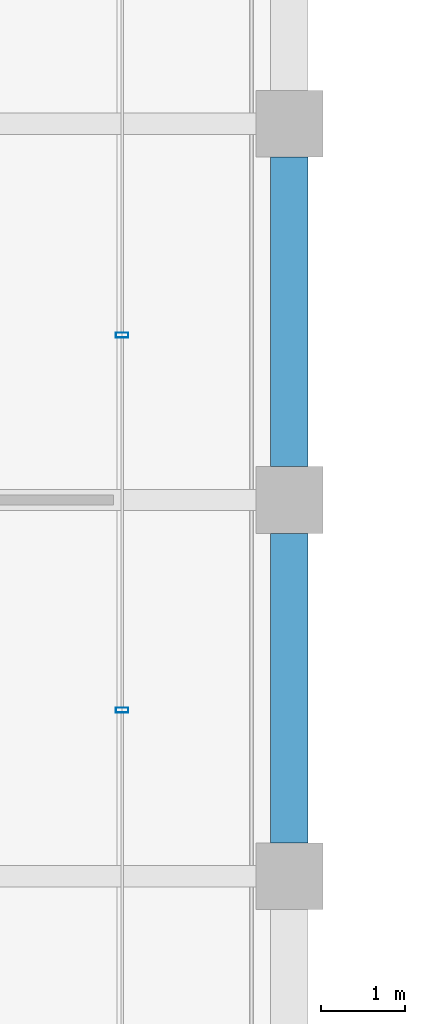
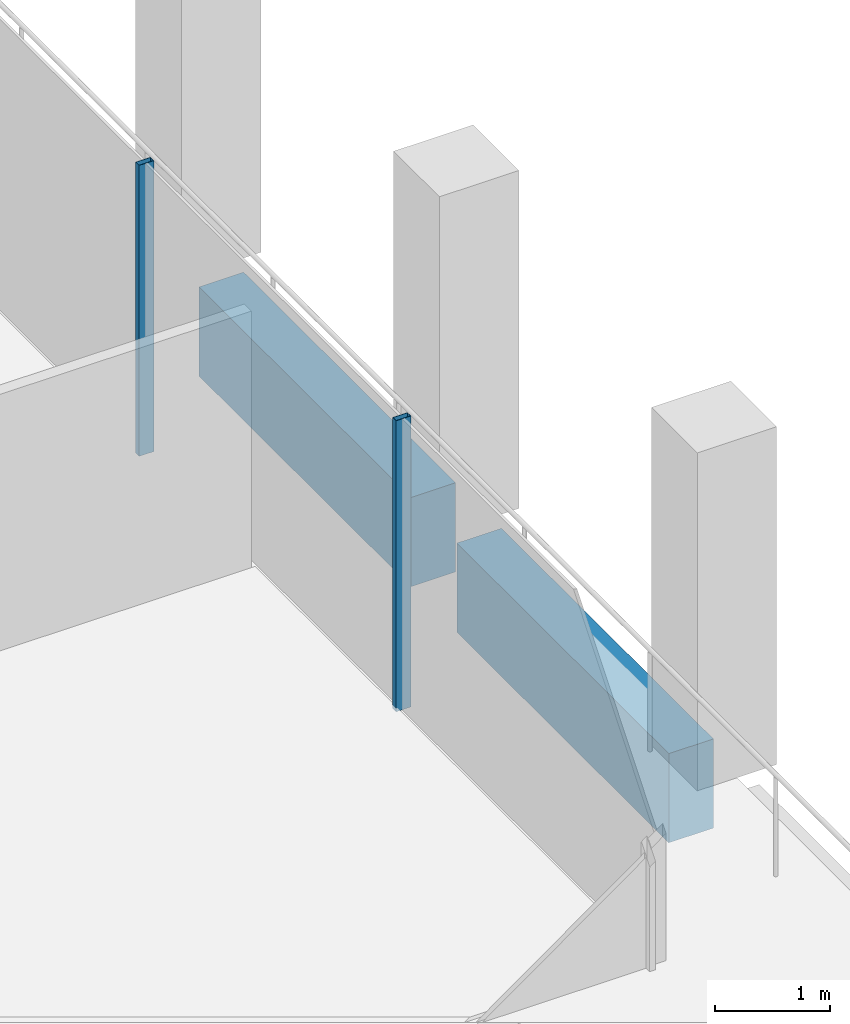
# One storey, part 15 of 40: 2 beams, 2 members, 1 element without a shape of its own.
"""IFC4 building model written with IfcOpenShell, lengths in metres."""

import ifcopenshell
import ifcopenshell.guid

model = None  # the IFC model being written
_history = None  # IfcOwnerHistory: only IFC2X3 demands one
_inside = {}  # id of a spatial element -> (the spatial element, [elements in it])
_under = {}  # id of a project, library or spatial element -> (it, [spatial elements below it])
_declared = {}  # id of a project -> (the project, [libraries it declares])
_typed = {}  # id of a type object -> (the type object, [elements of that type])
_made_of = {}  # id of a material, layer set ... -> (it, [elements and type objects made of it])


def new_model(schema):
    """Start an empty IFC model of exactly this schema.

    Asked for "IFC4X3", IfcOpenShell would pick the latest addendum, in which some entities
    have other attributes; the version numbers below select the first issue.
    IFC2X3 requires an IfcOwnerHistory on every rooted entity: one is made here for all.
    """
    global model, _history
    if schema == "IFC4X3":
        model = ifcopenshell.file(schema_version=(4, 3, 0, 0))
    else:
        model = ifcopenshell.file(schema=schema)
    _inside.clear()
    _under.clear()
    _declared.clear()
    _typed.clear()
    _made_of.clear()
    _history = None
    if model.schema == "IFC2X3":
        org = make("IfcOrganization", Name="unknown")
        user = make(
            "IfcPersonAndOrganization",
            ThePerson=make("IfcPerson", FamilyName="unknown"),
            TheOrganization=org,
        )
        app = make(
            "IfcApplication",
            ApplicationDeveloper=org,
            Version="unknown",
            ApplicationFullName="unknown",
            ApplicationIdentifier="unknown",
        )
        _history = make(
            "IfcOwnerHistory",
            OwningUser=user,
            OwningApplication=app,
            ChangeAction="ADDED",
            CreationDate=0,
        )
    return model


def make(cls, **values):
    """One entity of the class cls with the attributes given. An attribute that is None is left unset."""
    return model.create_entity(
        cls, **{name: value for name, value in values.items() if value is not None}
    )


def rooted(cls, **values):
    """An entity with a GlobalId (a new one), such as an element, a storey or a relation."""
    return make(cls, GlobalId=ifcopenshell.guid.new(), OwnerHistory=_history, **values)


def si_unit(unit_type, name, prefix=None):
    """IfcSIUnit, for example si_unit("LENGTHUNIT", "METRE", prefix="MILLI")."""
    return make("IfcSIUnit", UnitType=unit_type, Prefix=prefix, Name=name)


def assignment(units):
    """IfcUnitAssignment: the units of a project."""
    return None if units is None else make("IfcUnitAssignment", Units=units)


def point(xyz):
    """IfcCartesianPoint."""
    return None if xyz is None else make("IfcCartesianPoint", Coordinates=xyz)


def direction(xyz):
    """IfcDirection."""
    return None if xyz is None else make("IfcDirection", DirectionRatios=xyz)


def frame(location, z_axis=None, x_axis=None):
    """IfcAxis2Placement3D, a coordinate frame: its origin and axes. An axis left out is left unset."""
    return make(
        "IfcAxis2Placement3D",
        Location=point(location),
        Axis=direction(z_axis),
        RefDirection=direction(x_axis),
    )


def frame_2d(location, x_axis=None):
    """IfcAxis2Placement2D, a coordinate frame in the plane: its origin and x axis."""
    return make(
        "IfcAxis2Placement2D", Location=point(location), RefDirection=direction(x_axis)
    )


def origin():
    """The frame at (0, 0, 0) with its axes left unset."""
    return frame((0.0, 0.0, 0.0))


def origin_2d():
    """The frame at (0, 0) in the plane with its x axis left unset."""
    return frame_2d((0.0, 0.0))


def place(relative_to, where):
    """IfcLocalPlacement: puts the frame where relative to a parent placement (None: the world)."""
    return make(
        "IfcLocalPlacement", PlacementRelTo=relative_to, RelativePlacement=where
    )


def context(
    kind, dimensions, precision=None, world=None, true_north=None, identifier=None
):
    """IfcGeometricRepresentationContext, for example the 3D "Model" context."""
    return make(
        "IfcGeometricRepresentationContext",
        ContextIdentifier=identifier,
        ContextType=kind,
        CoordinateSpaceDimension=dimensions,
        Precision=precision,
        WorldCoordinateSystem=world,
        TrueNorth=true_north,
    )


def subcontext(parent, identifier, kind, view, scale=None):
    """IfcGeometricRepresentationSubContext, for example "Body" below "Model"."""
    return make(
        "IfcGeometricRepresentationSubContext",
        ContextIdentifier=identifier,
        ContextType=kind,
        ParentContext=parent,
        TargetScale=scale,
        TargetView=view,
    )


def project(units=None, contexts=None):
    """IfcProject with its units and contexts."""
    return rooted(
        "IfcProject",
        Name="project",
        RepresentationContexts=contexts,
        UnitsInContext=assignment(units),
    )


def spatial(cls, under=None, at=None, **own):
    """A site, building, storey or space (cls), placed at a placement, below another one or the project."""
    s = rooted(cls, ObjectPlacement=at, **own)
    if under is not None:
        _under.setdefault(under.id(), (under, []))[1].append(s)
    return s


def profile(cls, at=None, kind="AREA", **sizes):
    """A parametric profile (cls). Its sizes go by their IFC names, for example OverallWidth=200.0."""
    return make(cls, ProfileType=kind, Position=at, **sizes)


def rectangle(**sizes):
    """IfcRectangleProfileDef."""
    return profile("IfcRectangleProfileDef", **sizes)


def hollow_rectangle(**sizes):
    """IfcRectangleHollowProfileDef."""
    return profile("IfcRectangleHollowProfileDef", **sizes)


def extrude(swept, where, along, depth):
    """IfcExtrudedAreaSolid: the profile swept, set in the frame where, extruded along a direction by depth."""
    return make(
        "IfcExtrudedAreaSolid",
        SweptArea=swept,
        Position=where,
        ExtrudedDirection=direction(along),
        Depth=depth,
    )


def shape(context_of_items, identifier, shape_type, items):
    """IfcShapeRepresentation: the items that make up one representation, for example the "Body"."""
    return make(
        "IfcShapeRepresentation",
        ContextOfItems=context_of_items,
        RepresentationIdentifier=identifier,
        RepresentationType=shape_type,
        Items=items,
    )


def material(Name=None, Category=None):
    """IfcMaterial."""
    return make("IfcMaterial", Name=Name, Category=Category)


def material_profile(
    of_material, cross_section, Name=None, Category=None, Priority=None
):
    """IfcMaterialProfile: a cross section and its material."""
    return make(
        "IfcMaterialProfile",
        Name=Name,
        Material=of_material,
        Profile=cross_section,
        Priority=Priority,
        Category=Category,
    )


def profile_set(profiles, Name=None, composite=None):
    """IfcMaterialProfileSet."""
    return make(
        "IfcMaterialProfileSet",
        Name=Name,
        MaterialProfiles=profiles,
        CompositeProfile=composite,
    )


def made_of(thing, what):
    """Note that an element or type object is made of a material, layer set ...; save() writes the relation."""
    if what is not None:
        _made_of.setdefault(what.id(), (what, []))[1].append(thing)
    return thing


def type_object(cls, material=None, **own):
    """A type object (cls), such as IfcWallType, which elements share."""
    return made_of(rooted(cls, **own), material)


def element(
    cls,
    number,
    at=None,
    inside=None,
    cuts=None,
    type_object=None,
    material=None,
    context=None,
    identifier="Body",
    shape_type=None,
    held_by="IfcProductDefinitionShape",
    body=None,
    shapes=None,
    **own,
):
    """One element of the class cls, such as IfcWall. Its Tag is "e" and its number.

    at: its placement. inside: the storey or other place that contains it. cuts: it is an
    opening in that element (IfcRelVoidsElement). A single representation is given by context,
    identifier, shape_type and body (its items); several are given by shapes. held_by: the class
    of the entity that holds the representations. save() writes the other relations.
    """
    e = rooted(cls, Tag="e%d" % number, ObjectPlacement=at, **own)
    if body is not None:
        shapes = [shape(context, identifier, shape_type, body)]
    if shapes is not None:
        e.Representation = make(held_by, Representations=shapes)
    if inside is not None:
        _inside.setdefault(inside.id(), (inside, []))[1].append(e)
    if cuts is not None:
        rooted(
            "IfcRelVoidsElement", RelatingBuildingElement=cuts, RelatedOpeningElement=e
        )
    if type_object is not None:
        _typed.setdefault(type_object.id(), (type_object, []))[1].append(e)
    return made_of(e, material)


def aggregate(whole, parts):
    """IfcRelAggregates: a whole, such as a stair, and the parts it consists of."""
    return rooted("IfcRelAggregates", RelatingObject=whole, RelatedObjects=parts)


def save(model, path):
    """Write the relations noted so far, then the file.

    IfcRelAggregates (storeys below a building ...), IfcRelContainedInSpatialStructure (elements
    in a storey), IfcRelDefinesByType, IfcRelAssociatesMaterial and IfcRelDeclares: one each for
    every whole, place, type object, material and project.
    """
    for whole, parts in _under.values():
        aggregate(whole, parts)
    for where, things in _inside.values():
        rooted(
            "IfcRelContainedInSpatialStructure",
            RelatedElements=things,
            RelatingStructure=where,
        )
    for kind, things in _typed.values():
        rooted("IfcRelDefinesByType", RelatedObjects=things, RelatingType=kind)
    for what, things in _made_of.values():
        rooted("IfcRelAssociatesMaterial", RelatedObjects=things, RelatingMaterial=what)
    for by, libraries in _declared.values():
        rooted("IfcRelDeclares", RelatingContext=by, RelatedDefinitions=libraries)
    model.write(path)


model = new_model("IFC4")

# Units and contexts
model_context = context("Model", 3, precision=1e-05, world=origin(), true_north=direction((0.0, 1.0)))
body_context = subcontext(model_context, "Body", "Model", "MODEL_VIEW")
ifc_project = project(units=[si_unit("LENGTHUNIT", "METRE"), si_unit("AREAUNIT", "SQUARE_METRE"), si_unit("VOLUMEUNIT", "CUBIC_METRE"), si_unit("PLANEANGLEUNIT", "RADIAN"), si_unit("MASSUNIT", "GRAM", prefix="KILO")], contexts=[model_context])

# Site, building, storey
site_placement = place(None, origin())
site = spatial("IfcSite", under=ifc_project, at=site_placement, CompositionType="ELEMENT")
building_placement = place(site_placement, origin())
building = spatial("IfcBuilding", under=site, at=building_placement, Name="Altepetl Exchange Towers", CompositionType="ELEMENT")
storey_placement = place(building_placement, frame((0.0, 0.0, 202.800048828125)))
storey = spatial("IfcBuildingStorey", under=building, at=storey_placement, Name="L51", CompositionType="ELEMENT", Elevation=202.800048828125)

# Curtain wall, members
ifc_material_1 = material(Name="Aluminium 6063-T6 glazing", Category="aluminium")
curtain_wall_type = type_object("IfcCurtainWallType", Name="Loggia glazing system", PredefinedType="NOTDEFINED", material=ifc_material_1)
curtain_wall_placement = place(storey_placement, origin())
curtain_wall = element("IfcCurtainWall", 1, at=curtain_wall_placement, inside=storey, type_object=curtain_wall_type, Name="CW1 run", PredefinedType="NOTDEFINED")
ifc_material_2 = material(Name="Aluminium 6063-T6", Category="aluminium")
ifc_material_profile_1 = material_profile(ifc_material_2, hollow_rectangle(XDim=0.06005859375, YDim=0.14990234375, WallThickness=0.0029296875, at=origin_2d()), Name="Mullion 60x150 aluminium")
ifc_profile_set_1 = profile_set([ifc_material_profile_1], Name="Aluminium 6063-T6")
member_type = type_object("IfcMemberType", Name="Mullion 60x150 aluminium", PredefinedType="MULLION", material=ifc_profile_set_1)
member_1_placement = place(storey_placement, frame((70.0, 37.986083984375, 0.0), z_axis=(0.0, 0.0, 1.0), x_axis=(0.0, 1.0, 0.0)))
member_1 = element("IfcMember", 2, at=member_1_placement, type_object=member_type, Name="MU1 mullion", PredefinedType="MULLION", context=body_context, shape_type="SweptSolid", body=[
    extrude(hollow_rectangle(XDim=0.06005859375, YDim=0.14990234375, WallThickness=0.0029296875, at=origin_2d()), origin(), (0.0, 0.0, 1.0), 3.099853515625),
])
member_2_placement = place(storey_placement, frame((70.0, 42.471923828125, 0.0), z_axis=(0.0, 0.0, 1.0), x_axis=(0.0, 1.0, 0.0)))
member_2 = element("IfcMember", 3, at=member_2_placement, type_object=member_type, Name="MU1 mullion", PredefinedType="MULLION", context=body_context, shape_type="SweptSolid", body=[
    extrude(hollow_rectangle(XDim=0.06005859375, YDim=0.14990234375, WallThickness=0.0029296875, at=origin_2d()), origin(), (0.0, 0.0, 1.0), 3.099853515625),
])
aggregate(curtain_wall, [member_1, member_2])

# Beams
ifc_material_3 = material(Name="Concrete C50/60 precast with cantera amarilla facing", Category="concrete")
ifc_material_profile_2 = material_profile(ifc_material_3, rectangle(XDim=0.449951171875, YDim=0.949951171875, at=origin_2d()), Name="450 x 950")
ifc_profile_set_2 = profile_set([ifc_material_profile_2], Name="Concrete C50/60 precast with cantera amarilla facing")
beam_type = type_object("IfcBeamType", Name="Spandrel beam 450x950 cantera amarilla", PredefinedType="SPANDREL", material=ifc_profile_set_2)
for number, where, z_axis, x_axis, name in (
    (4, (72.0, 36.39990234375, -0.625), (0.0, 1.0, 0.0), (-1.0, 0.0, 0.0), "sp:A:L51:013"),
    (5, (72.0, 40.89990234375, -0.625), (0.0, 1.0, 0.0), (-1.0, 0.0, 0.0), "sp:A:L51:014"),
):
    element("IfcBeam", number, at=place(storey_placement, frame(where, z_axis=z_axis, x_axis=x_axis)), inside=storey, type_object=beam_type, Name=name, PredefinedType="SPANDREL", context=body_context, shape_type="SweptSolid", body=[
        extrude(rectangle(XDim=0.449951171875, YDim=0.949951171875, at=origin_2d()), origin(), (0.0, 0.0, 1.0), 3.7001953125),
    ])

save(model, "model.ifc")
